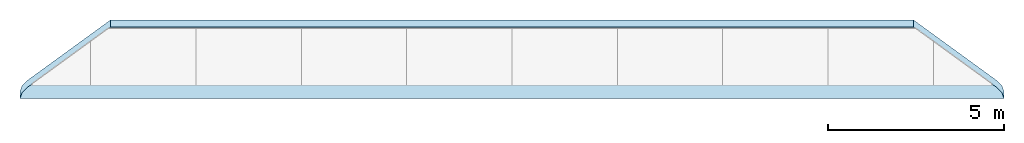
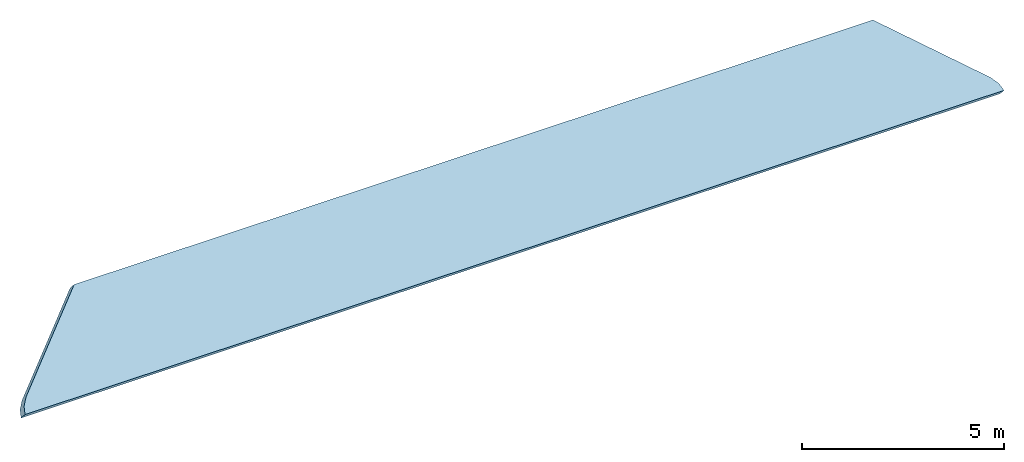
# One storey, part 1 of 2: 1 slab.
"""IFC4 building model written with IfcOpenShell, lengths in metres."""

from ifc_helpers import new_model, si_unit, direction, frame, origin, place, context, subcontext, project, spatial, polyline, outline, extrude, material, layer, layer_set, type_object, element, save


model = new_model("IFC4")

# Units and contexts
model_context = context("Model", 3, precision=1e-05, world=origin(), true_north=direction((0.0, 1.0)))
body_context = subcontext(model_context, "Body", "Model", "MODEL_VIEW")
ifc_project = project(units=[si_unit("LENGTHUNIT", "METRE"), si_unit("AREAUNIT", "SQUARE_METRE"), si_unit("VOLUMEUNIT", "CUBIC_METRE"), si_unit("PLANEANGLEUNIT", "RADIAN"), si_unit("MASSUNIT", "GRAM", prefix="KILO")], contexts=[model_context])

# Site, building, storey
site_placement = place(None, origin())
site = spatial("IfcSite", under=ifc_project, at=site_placement, CompositionType="ELEMENT")
building_placement = place(site_placement, origin())
building = spatial("IfcBuilding", under=site, at=building_placement, Name="White Candle Pilgrim Tower", CompositionType="ELEMENT")
storey_placement = place(building_placement, frame((0.0, 0.0, 360.199951171875)))
storey = spatial("IfcBuildingStorey", under=building, at=storey_placement, Name="RF", CompositionType="ELEMENT", Elevation=360.199951171875)

# Slab
ifc_material = material(Name="Concrete C40/50", Category="concrete")
ifc_layer = layer(ifc_material, 0.300048828125)
ifc_layer_set = layer_set([ifc_layer], Name="Roof slab 300 REI 120")
slab_type = type_object("IfcSlabType", Name="Roof slab 300 REI 120", PredefinedType="ROOF", material=ifc_layer_set)
slab_placement = place(storey_placement, frame((56.041748046875, 86.11962890625, 0.135009765625), z_axis=(0.0, -0.662916049604, 0.748693736569), x_axis=(0.579168252767, 0.610341147352, 0.540414487995)))
element("IfcSlab", 1, at=slab_placement, inside=storey, type_object=slab_type, Name="Roof slab RF-01", PredefinedType="ROOF", context=body_context, shape_type="SweptSolid", body=[
    extrude(outline(polyline([(0.0, 0.0), (0.25671579875897343, 0.0), (0.5524481219317668, -0.05463824921723007), (0.8477581004053135, -0.10927707254132613), (1.143217087948038, -0.16381003169470287), (1.4389494111208312, -0.21844828091193297), (1.7344083986635557, -0.27298124006530977), (2.030008784705491, -0.3277132246170566), (2.3255997093790732, -0.3821524484359166), (2.6210510863518306, -0.43699029715838267), (2.916510073894555, -0.4915232563117593), (3.2122423970673486, -0.5461615055289895), (3.507701384610073, -0.6006944646823662), (16.755609572665534, -19.2477820887633), (16.70986033472903, -19.54472798313132), (16.664120558160878, -19.841966638232233), (16.618371320224373, -20.13891253260025), (16.572912489856257, -20.435951588195923), (16.527031314788893, -20.732991217898462), (16.481423475351598, -21.030136137664854), (16.435674237415096, -21.327082032032877), (16.38993446084694, -21.62432068713379), (16.34418522291044, -21.921266581501808), (16.29858499404311, -22.218106611699113), (16.25284521747496, -22.515345266800022), (16.168352790754707, -22.757758202014667), (16.035065340970885, -22.921932841123848), (-0.1988963534176173, -0.07182685426550572), (0.0, 0.0)])), origin(), (0.0, 0.0, -1.0), 0.300048828125),
])

save(model, "model.ifc")
